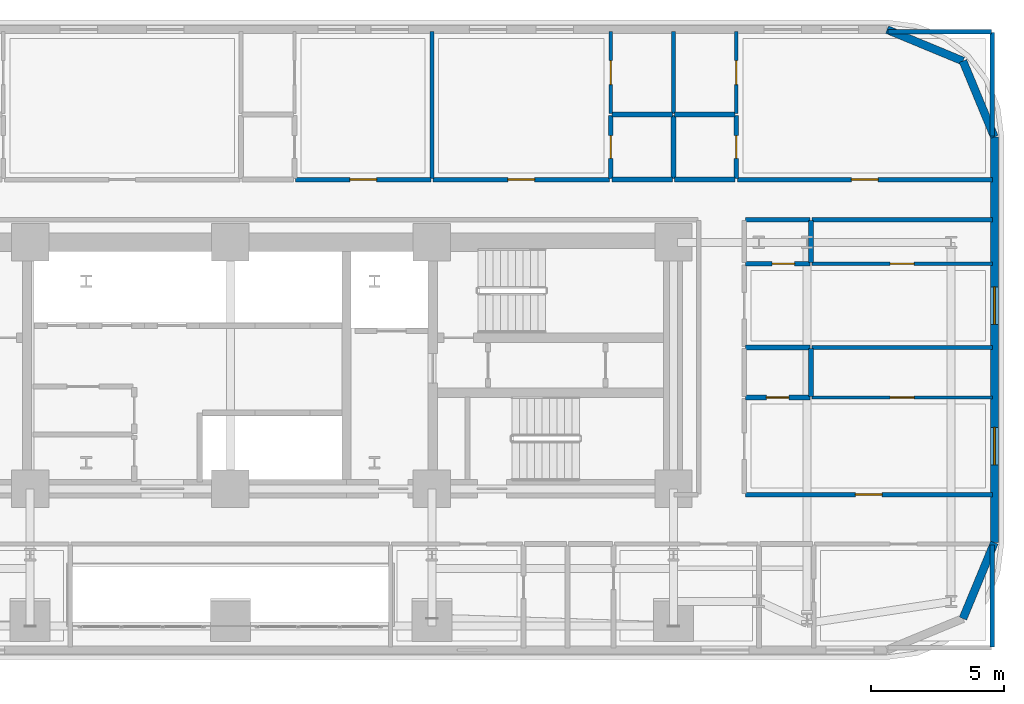
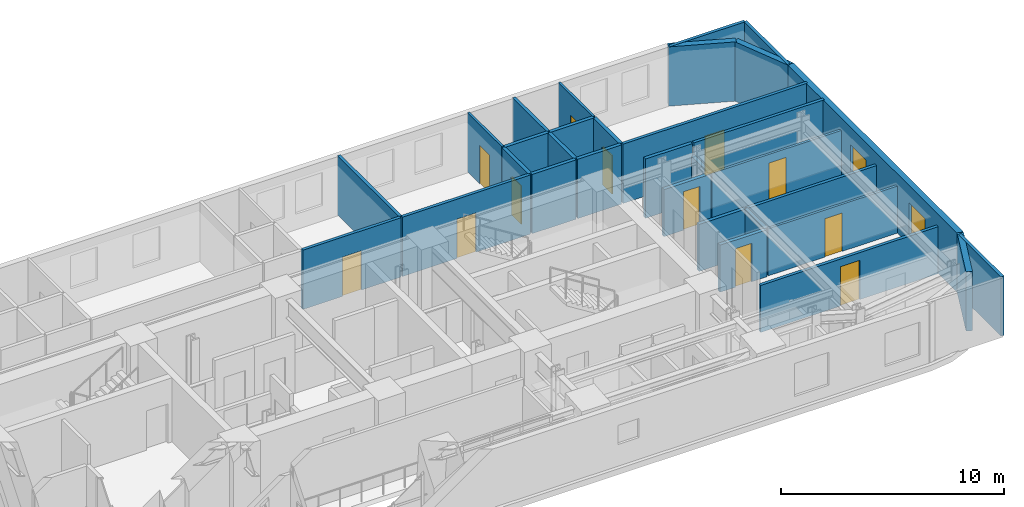
# One storey, part 11 of 15: 32 walls, 12 doors, 2 windows, 14 openings.
"""IFC4 building model written with IfcOpenShell, lengths in metres."""

from ifc_helpers import new_model, si_unit, direction, frame, frame_2d, origin, place, context, subcontext, project, spatial, rectangle, extrude, material, layer, layer_set, type_object, element, fill, save


model = new_model("IFC4")

# Units and contexts
model_context = context("Model", 3, precision=1e-05, world=origin(), true_north=direction((0.0, 1.0)))
body_context = subcontext(model_context, "Body", "Model", "MODEL_VIEW")
ifc_project = project(units=[si_unit("LENGTHUNIT", "METRE"), si_unit("AREAUNIT", "SQUARE_METRE"), si_unit("VOLUMEUNIT", "CUBIC_METRE"), si_unit("PLANEANGLEUNIT", "RADIAN"), si_unit("MASSUNIT", "GRAM", prefix="KILO")], contexts=[model_context])

# Site, building, storey
site_placement = place(None, origin())
site = spatial("IfcSite", under=ifc_project, at=site_placement, CompositionType="ELEMENT")
building_placement = place(site_placement, origin())
building = spatial("IfcBuilding", under=site, at=building_placement, Name="Zarnavel Station Tower", CompositionType="ELEMENT")
storey_placement = place(building_placement, frame((0.0, 0.0, 36.0)))
storey = spatial("IfcBuildingStorey", under=building, at=storey_placement, Name="L09", CompositionType="ELEMENT", Elevation=36.0)

# Wall
ifc_material_1 = material(Name="Precast concrete C45/55 (Dark Basalt Finish)", Category="masonry")
ifc_layer_1 = layer(ifc_material_1, 0.300048828125)
ifc_layer_set_1 = layer_set([ifc_layer_1], Name="EW_BASALT_300")
wall_type_1 = type_object("IfcWallType", Name="EW_BASALT_300", PredefinedType="SOLIDWALL", material=ifc_layer_set_1)
wall_1_placement = place(storey_placement, frame((57.419921875, 25.800048828125, 0.0), z_axis=(0.0, 0.0, 1.0), x_axis=(-0.382636798336, -0.92389884758, 0.0)))
element("IfcWall", 1, at=wall_1_placement, inside=storey, type_object=wall_type_1, Name="L09 Exterior Basalt Masonry Frame Wall 02", PredefinedType="SOLIDWALL", context=body_context, shape_type="SweptSolid", body=[
    extrude(rectangle(XDim=3.07666015625, YDim=0.300048828125, at=frame_2d((1.538330078125, 0.0))), origin(), (0.0, 0.0, 1.0), 3.239990234375),
])

# Wall, openings, windows
wall_2_placement = place(storey_placement, frame((57.419921875, 41.0, 0.0), z_axis=(0.0, 0.0, 1.0), x_axis=(0.0, -1.0, 0.0)))
wall_2 = element("IfcWall", 2, at=wall_2_placement, inside=storey, type_object=wall_type_1, Name="L09 Exterior Basalt Masonry Frame Wall 03", PredefinedType="SOLIDWALL", context=body_context, shape_type="SweptSolid", body=[
    extrude(rectangle(XDim=15.199951171875, YDim=0.300048828125, at=frame_2d((7.60009765625, 0.0))), origin(), (0.0, 0.0, 1.0), 3.239990234375),
])
opening_1_placement = place(wall_2_placement, frame((10.882080078125, 0.0, 0.47998046875)))
opening_1 = element("IfcOpeningElement", 3, at=opening_1_placement, cuts=wall_2, Name="Opening WN01", PredefinedType="OPENING", context=body_context, shape_type="SweptSolid", body=[
    extrude(rectangle(XDim=1.39990234375, YDim=1.800048828125, at=frame_2d((0.699951171875, 0.89990234375))), frame((0.0, 0.159912109375, 0.0), z_axis=(0.0, -1.0, 0.0), x_axis=(1.0, 0.0, 0.0)), (0.0, 0.0, 1.0), 0.320068359375),
])
opening_2_placement = place(wall_2_placement, frame((5.62060546875, 0.0, 0.47998046875)))
opening_2 = element("IfcOpeningElement", 4, at=opening_2_placement, cuts=wall_2, Name="Opening WN01", PredefinedType="OPENING", context=body_context, shape_type="SweptSolid", body=[
    extrude(rectangle(XDim=1.39990234375, YDim=1.800048828125, at=frame_2d((0.699951171875, 0.89990234375))), frame((0.0, 0.159912109375, 0.0), z_axis=(0.0, -1.0, 0.0), x_axis=(1.0, 0.0, 0.0)), (0.0, 0.0, 1.0), 0.320068359375),
])
ifc_material_2 = material(Name="Thermally Broken Black Aluminium and Low-E Dark Glass", Category="aluminium")
window_type = type_object("IfcWindowType", Name="WN_1400x1800", PartitioningType="DOUBLE_PANEL_VERTICAL", PredefinedType="WINDOW", material=ifc_material_2)
window_1_placement = place(opening_1_placement, origin())
window_1 = element("IfcWindow", 5, at=window_1_placement, inside=storey, type_object=window_type, Name="L09 Recessed Facade Window 01", OverallHeight=1.800048828125, OverallWidth=1.39990234375, PartitioningType="SINGLE_PANEL", PredefinedType="WINDOW", context=body_context, shape_type="SweptSolid", body=[
    extrude(rectangle(XDim=1.39990234375, YDim=1.800048828125, at=frame_2d((0.699951171875, 0.89990234375))), frame((0.0, 0.030029296875, 0.0), z_axis=(0.0, -1.0, 0.0), x_axis=(1.0, 0.0, 0.0)), (0.0, 0.0, 1.0), 0.06005859375),
])
fill(opening_1, window_1)
window_2_placement = place(opening_2_placement, origin())
window_2 = element("IfcWindow", 6, at=window_2_placement, inside=storey, type_object=window_type, Name="L09 Recessed Facade Window 02", OverallHeight=1.800048828125, OverallWidth=1.39990234375, PartitioningType="SINGLE_PANEL", PredefinedType="WINDOW", context=body_context, shape_type="SweptSolid", body=[
    extrude(rectangle(XDim=1.39990234375, YDim=1.800048828125, at=frame_2d((0.699951171875, 0.89990234375))), frame((0.0, 0.030029296875, 0.0), z_axis=(0.0, -1.0, 0.0), x_axis=(1.0, 0.0, 0.0)), (0.0, 0.0, 1.0), 0.06005859375),
])
fill(opening_2, window_2)

# Walls
wall_3_placement = place(storey_placement, frame((56.24267578125, 43.842529296875, 0.0), z_axis=(0.0, 0.0, 1.0), x_axis=(0.382636798336, -0.92389884758, 0.0)))
element("IfcWall", 7, at=wall_3_placement, inside=storey, type_object=wall_type_1, Name="L09 Exterior Basalt Masonry Frame Wall 04", PredefinedType="SOLIDWALL", context=body_context, shape_type="SweptSolid", body=[
    extrude(rectangle(XDim=3.07666015625, YDim=0.300048828125, at=frame_2d((1.538330078125, 0.0))), origin(), (0.0, 0.0, 1.0), 3.239990234375),
])
wall_4_placement = place(storey_placement, frame((53.39990234375, 45.02001953125, 0.0), z_axis=(0.0, 0.0, 1.0), x_axis=(0.923882414032, -0.382676475685, 0.0)))
element("IfcWall", 8, at=wall_4_placement, inside=storey, type_object=wall_type_1, Name="L09 Exterior Basalt Masonry Frame Wall 05", PredefinedType="SOLIDWALL", context=body_context, shape_type="SweptSolid", body=[
    extrude(rectangle(XDim=3.076904296875, YDim=0.300048828125, at=frame_2d((1.53857421875, 0.0))), origin(), (0.0, 0.0, 1.0), 3.239990234375),
])

# Wall, opening, door
ifc_material_3 = material(Name="Gypsum Twin-Stud Acoustic Fire Partition", Category="concrete")
ifc_layer_2 = layer(ifc_material_3, 0.159912109375)
ifc_layer_set_2 = layer_set([ifc_layer_2], Name="PT_DEMISE_160")
wall_type_2 = type_object("IfcWallType", Name="PT_DEMISE_160", PredefinedType="PARTITIONING", material=ifc_layer_set_2)
wall_5_placement = place(storey_placement, frame((48.090087890625, 27.60009765625, 0.0), z_axis=(0.0, 0.0, 1.0), x_axis=(1.0, 0.0, 0.0)))
wall_5 = element("IfcWall", 9, at=wall_5_placement, inside=storey, type_object=wall_type_2, Name="L09 Partition COR-S-FNE1R", PredefinedType="PARTITIONING", context=body_context, shape_type="SweptSolid", body=[
    extrude(rectangle(XDim=9.25, YDim=0.159912109375, at=frame_2d((4.625, 0.0))), origin(), (0.0, 0.0, 1.0), 2.570068359375),
])
opening_3_placement = place(wall_5_placement, frame((4.125, 0.0, 0.0)))
opening_3 = element("IfcOpeningElement", 10, at=opening_3_placement, cuts=wall_5, Name="Opening FD02", PredefinedType="OPENING", context=body_context, shape_type="SweptSolid", body=[
    extrude(rectangle(XDim=1.0, YDim=2.14990234375, at=frame_2d((0.5, 1.074951171875))), frame((0.0, 0.08984375, 0.0), z_axis=(0.0, -1.0, 0.0), x_axis=(1.0, 0.0, 0.0)), (0.0, 0.0, 1.0), 0.179931640625),
])
ifc_material_4 = material(Name="Painted Galvanised Steel and Hardwood Leaf", Category="steel")
door_type_1 = type_object("IfcDoorType", Name="ID_ENTRY_1000", OperationType="NOTDEFINED", PredefinedType="DOOR", material=ifc_material_4)
door_1_placement = place(opening_3_placement, origin())
door_1 = element("IfcDoor", 11, at=door_1_placement, inside=storey, type_object=door_type_1, Name="L09 Door COR-S-FNE1R", OperationType="SINGLE_SWING_LEFT", OverallHeight=2.14990234375, OverallWidth=1.0, PredefinedType="DOOR", context=body_context, shape_type="SweptSolid", body=[
    extrude(rectangle(XDim=1.0, YDim=2.14990234375, at=frame_2d((0.5, 1.074951171875))), frame((0.0, 0.02490234375, 0.0), z_axis=(0.0, -1.0, 0.0), x_axis=(1.0, 0.0, 0.0)), (0.0, 0.0, 1.0), 0.050048828125),
])
fill(opening_3, door_1)

# Wall
wall_6_placement = place(storey_placement, frame((50.590087890625, 37.89990234375, 0.0), z_axis=(0.0, 0.0, 1.0), x_axis=(1.0, 0.0, 0.0)))
element("IfcWall", 12, at=wall_6_placement, inside=storey, type_object=wall_type_2, Name="L09 Partition COR-N-FNE2S", PredefinedType="PARTITIONING", context=body_context, shape_type="SweptSolid", body=[
    extrude(rectangle(XDim=6.75, YDim=0.159912109375, at=frame_2d((3.375, 0.0))), origin(), (0.0, 0.0, 1.0), 3.239990234375),
])

# Wall, opening, door
wall_7_placement = place(storey_placement, frame((31.240966796875, 39.39990234375, 0.0), z_axis=(0.0, 0.0, 1.0), x_axis=(1.0, 0.0, 0.0)))
wall_7 = element("IfcWall", 13, at=wall_7_placement, inside=storey, type_object=wall_type_2, Name="L09 Partition COR-N-HN3R", PredefinedType="PARTITIONING", context=body_context, shape_type="SweptSolid", body=[
    extrude(rectangle(XDim=5.069091796875, YDim=0.159912109375, at=frame_2d((2.53466796875, 0.0))), origin(), (0.0, 0.0, 1.0), 3.239990234375),
])
opening_4_placement = place(wall_7_placement, frame((2.034423828125, 0.0, 0.0)))
opening_4 = element("IfcOpeningElement", 14, at=opening_4_placement, cuts=wall_7, Name="Opening FD02", PredefinedType="OPENING", context=body_context, shape_type="SweptSolid", body=[
    extrude(rectangle(XDim=1.0, YDim=2.14990234375, at=frame_2d((0.5, 1.074951171875))), frame((0.0, 0.08984375, 0.0), z_axis=(0.0, -1.0, 0.0), x_axis=(1.0, 0.0, 0.0)), (0.0, 0.0, 1.0), 0.179931640625),
])
door_2_placement = place(opening_4_placement, origin())
door_2 = element("IfcDoor", 15, at=door_2_placement, inside=storey, type_object=door_type_1, Name="L09 Door COR-N-HN3R", OperationType="SINGLE_SWING_LEFT", OverallHeight=2.14990234375, OverallWidth=1.0, PredefinedType="DOOR", context=body_context, shape_type="SweptSolid", body=[
    extrude(rectangle(XDim=1.0, YDim=2.14990234375, at=frame_2d((0.5, 1.074951171875))), frame((0.0, 0.02490234375, 0.0), z_axis=(0.0, -1.0, 0.0), x_axis=(1.0, 0.0, 0.0)), (0.0, 0.0, 1.0), 0.050048828125),
])
fill(opening_4, door_2)

wall_8_placement = place(storey_placement, frame((36.389892578125, 39.39990234375, 0.0), z_axis=(0.0, 0.0, 1.0), x_axis=(1.0, 0.0, 0.0)))
wall_8 = element("IfcWall", 16, at=wall_8_placement, inside=storey, type_object=wall_type_2, Name="L09 Partition COR-N-HN4R", PredefinedType="PARTITIONING", context=body_context, shape_type="SweptSolid", body=[
    extrude(rectangle(XDim=6.6201171875, YDim=0.159912109375, at=frame_2d((3.31005859375, 0.0))), origin(), (0.0, 0.0, 1.0), 3.239990234375),
])
opening_5_placement = place(wall_8_placement, frame((2.81005859375, 0.0, 0.0)))
opening_5 = element("IfcOpeningElement", 17, at=opening_5_placement, cuts=wall_8, Name="Opening FD02", PredefinedType="OPENING", context=body_context, shape_type="SweptSolid", body=[
    extrude(rectangle(XDim=1.0, YDim=2.14990234375, at=frame_2d((0.5, 1.074951171875))), frame((0.0, 0.08984375, 0.0), z_axis=(0.0, -1.0, 0.0), x_axis=(1.0, 0.0, 0.0)), (0.0, 0.0, 1.0), 0.179931640625),
])
door_3_placement = place(opening_5_placement, origin())
door_3 = element("IfcDoor", 18, at=door_3_placement, inside=storey, type_object=door_type_1, Name="L09 Door COR-N-HN4R", OperationType="SINGLE_SWING_RIGHT", OverallHeight=2.14990234375, OverallWidth=1.0, PredefinedType="DOOR", context=body_context, shape_type="SweptSolid", body=[
    extrude(rectangle(XDim=1.0, YDim=2.14990234375, at=frame_2d((0.5, 1.074951171875))), frame((0.0, 0.02490234375, 0.0), z_axis=(0.0, -1.0, 0.0), x_axis=(1.0, 0.0, 0.0)), (0.0, 0.0, 1.0), 0.050048828125),
])
fill(opening_5, door_3)

wall_9_placement = place(storey_placement, frame((47.7900390625, 39.39990234375, 0.0), z_axis=(0.0, 0.0, 1.0), x_axis=(1.0, 0.0, 0.0)))
wall_9 = element("IfcWall", 19, at=wall_9_placement, inside=storey, type_object=wall_type_2, Name="L09 Partition COR-N-HN5R", PredefinedType="PARTITIONING", context=body_context, shape_type="SweptSolid", body=[
    extrude(rectangle(XDim=9.550048828125, YDim=0.159912109375, at=frame_2d((4.77490234375, 0.0))), origin(), (0.0, 0.0, 1.0), 3.239990234375),
])
opening_6_placement = place(wall_9_placement, frame((4.27490234375, 0.0, 0.0)))
opening_6 = element("IfcOpeningElement", 20, at=opening_6_placement, cuts=wall_9, Name="Opening FD02", PredefinedType="OPENING", context=body_context, shape_type="SweptSolid", body=[
    extrude(rectangle(XDim=1.0, YDim=2.14990234375, at=frame_2d((0.5, 1.074951171875))), frame((0.0, 0.08984375, 0.0), z_axis=(0.0, -1.0, 0.0), x_axis=(1.0, 0.0, 0.0)), (0.0, 0.0, 1.0), 0.179931640625),
])
door_4_placement = place(opening_6_placement, origin())
door_4 = element("IfcDoor", 21, at=door_4_placement, inside=storey, type_object=door_type_1, Name="L09 Door COR-N-HN5R", OperationType="SINGLE_SWING_LEFT", OverallHeight=2.14990234375, OverallWidth=1.0, PredefinedType="DOOR", context=body_context, shape_type="SweptSolid", body=[
    extrude(rectangle(XDim=1.0, YDim=2.14990234375, at=frame_2d((0.5, 1.074951171875))), frame((0.0, 0.02490234375, 0.0), z_axis=(0.0, -1.0, 0.0), x_axis=(1.0, 0.0, 0.0)), (0.0, 0.0, 1.0), 0.050048828125),
])
fill(opening_6, door_4)

# Walls
wall_10_placement = place(storey_placement, frame((50.590087890625, 33.10888671875, 0.0), z_axis=(0.0, 0.0, 1.0), x_axis=(1.0, 0.0, 0.0)))
element("IfcWall", 22, at=wall_10_placement, inside=storey, type_object=wall_type_2, Name="L09 Partition FNE1S-FNE2R", PredefinedType="PARTITIONING", context=body_context, shape_type="SweptSolid", body=[
    extrude(rectangle(XDim=6.75, YDim=0.159912109375, at=frame_2d((3.375, 0.0))), origin(), (0.0, 0.0, 1.0), 2.570068359375),
])
wall_11_placement = place(storey_placement, frame((36.35009765625, 39.43994140625, 0.0), z_axis=(0.0, 0.0, 1.0), x_axis=(0.0, 1.0, 0.0)))
element("IfcWall", 23, at=wall_11_placement, inside=storey, type_object=wall_type_2, Name="L09 Partition HN3R-HN4R", PredefinedType="PARTITIONING", context=body_context, shape_type="SweptSolid", body=[
    extrude(rectangle(XDim=5.5, YDim=0.159912109375, at=frame_2d((2.75, 0.0))), origin(), (0.0, 0.0, 1.0), 3.239990234375),
])
wall_12_placement = place(storey_placement, frame((45.39990234375, 41.8779296875, 0.0), z_axis=(0.0, 0.0, 1.0), x_axis=(0.0, 1.0, 0.0)))
element("IfcWall", 24, at=wall_12_placement, inside=storey, type_object=wall_type_2, Name="L09 Partition HN4S-HN5S", PredefinedType="PARTITIONING", context=body_context, shape_type="SweptSolid", body=[
    extrude(rectangle(XDim=3.06201171875, YDim=0.159912109375, at=frame_2d((1.531005859375, 0.0))), origin(), (0.0, 0.0, 1.0), 3.239990234375),
])
wall_13_placement = place(storey_placement, frame((53.429931640625, 44.93994140625, 0.0), z_axis=(0.0, 0.0, 1.0), x_axis=(1.0, 0.0, 0.0)))
element("IfcWall", 25, at=wall_13_placement, inside=storey, type_object=wall_type_2, Name="L09 Enclosure Wall HN5R", PredefinedType="PARTITIONING", context=body_context, shape_type="SweptSolid", body=[
    extrude(rectangle(XDim=3.880126953125, YDim=0.159912109375, at=frame_2d((1.93994140625, 0.0))), origin(), (0.0, 0.0, 1.0), 3.239990234375),
])
wall_14_placement = place(storey_placement, frame((57.340087890625, 41.030029296875, 0.0), z_axis=(0.0, 0.0, 1.0), x_axis=(0.0, 1.0, 0.0)))
element("IfcWall", 26, at=wall_14_placement, inside=storey, type_object=wall_type_2, Name="L09 Enclosure Wall HN5R", PredefinedType="PARTITIONING", context=body_context, shape_type="SweptSolid", body=[
    extrude(rectangle(XDim=3.8798828125, YDim=0.159912109375, at=frame_2d((1.93994140625, 0.0))), origin(), (0.0, 0.0, 1.0), 3.239990234375),
])
wall_15_placement = place(storey_placement, frame((57.340087890625, 21.889892578125, 0.0), z_axis=(0.0, 0.0, 1.0), x_axis=(0.0, 1.0, 0.0)))
element("IfcWall", 27, at=wall_15_placement, inside=storey, type_object=wall_type_2, Name="L09 Enclosure Wall HE3R", PredefinedType="PARTITIONING", context=body_context, shape_type="SweptSolid", body=[
    extrude(rectangle(XDim=3.830078125, YDim=0.159912109375, at=frame_2d((1.9150390625, 0.0))), origin(), (0.0, 0.0, 1.0), 3.239990234375),
])

# Wall, opening, door
ifc_material_5 = material(Name="Gypsum Metal-Stud Interior Partition", Category="concrete")
ifc_layer_3 = layer(ifc_material_5, 0.1201171875)
ifc_layer_set_3 = layer_set([ifc_layer_3], Name="PT_ROOM_120")
wall_type_3 = type_object("IfcWallType", Name="PT_ROOM_120", PredefinedType="PARTITIONING", material=ifc_layer_set_3)
wall_16_placement = place(storey_placement, frame((50.590087890625, 31.236083984375, 0.0), z_axis=(0.0, 0.0, 1.0), x_axis=(1.0, 0.0, 0.0)))
wall_16 = element("IfcWall", 28, at=wall_16_placement, inside=storey, type_object=wall_type_3, Name="L09 Partition FNE1R-FNE1S", PredefinedType="PARTITIONING", context=body_context, shape_type="SweptSolid", body=[
    extrude(rectangle(XDim=6.75, YDim=0.1201171875, at=frame_2d((3.375, 0.0))), origin(), (0.0, 0.0, 1.0), 2.570068359375),
])
opening_7_placement = place(wall_16_placement, frame((2.925048828125, 0.0, 0.0)))
opening_7 = element("IfcOpeningElement", 29, at=opening_7_placement, cuts=wall_16, Name="Opening ID01", PredefinedType="OPENING", context=body_context, shape_type="SweptSolid", body=[
    extrude(rectangle(XDim=0.89990234375, YDim=2.10009765625, at=frame_2d((0.449951171875, 1.050048828125))), frame((0.0, 0.070068359375, 0.0), z_axis=(0.0, -1.0, 0.0), x_axis=(1.0, 0.0, 0.0)), (0.0, 0.0, 1.0), 0.14013671875),
])
ifc_material_6 = material(Name="Painted Galvanised Steel and Hardwood Leaf", Category="steel")
door_type_2 = type_object("IfcDoorType", Name="ID_ROOM_900", OperationType="NOTDEFINED", PredefinedType="DOOR", material=ifc_material_6)
door_5_placement = place(opening_7_placement, origin())
door_5 = element("IfcDoor", 30, at=door_5_placement, inside=storey, type_object=door_type_2, Name="L09 Door FNE1R-FNE1S", OperationType="SINGLE_SWING_LEFT", OverallHeight=2.10009765625, OverallWidth=0.89990234375, PredefinedType="DOOR", context=body_context, shape_type="SweptSolid", body=[
    extrude(rectangle(XDim=0.89990234375, YDim=2.10009765625, at=frame_2d((0.449951171875, 1.050048828125))), frame((0.0, 0.02490234375, 0.0), z_axis=(0.0, -1.0, 0.0), x_axis=(1.0, 0.0, 0.0)), (0.0, 0.0, 1.0), 0.050048828125),
])
fill(opening_7, door_5)

wall_17_placement = place(storey_placement, frame((50.590087890625, 36.25, 0.0), z_axis=(0.0, 0.0, 1.0), x_axis=(1.0, 0.0, 0.0)))
wall_17 = element("IfcWall", 31, at=wall_17_placement, inside=storey, type_object=wall_type_3, Name="L09 Partition FNE2R-FNE2S", PredefinedType="PARTITIONING", context=body_context, shape_type="SweptSolid", body=[
    extrude(rectangle(XDim=6.75, YDim=0.1201171875, at=frame_2d((3.375, 0.0))), origin(), (0.0, 0.0, 1.0), 2.570068359375),
])
opening_8_placement = place(wall_17_placement, frame((2.925048828125, 0.0, 0.0)))
opening_8 = element("IfcOpeningElement", 32, at=opening_8_placement, cuts=wall_17, Name="Opening ID01", PredefinedType="OPENING", context=body_context, shape_type="SweptSolid", body=[
    extrude(rectangle(XDim=0.89990234375, YDim=2.10009765625, at=frame_2d((0.449951171875, 1.050048828125))), frame((0.0, 0.070068359375, 0.0), z_axis=(0.0, -1.0, 0.0), x_axis=(1.0, 0.0, 0.0)), (0.0, 0.0, 1.0), 0.14013671875),
])
door_6_placement = place(opening_8_placement, origin())
door_6 = element("IfcDoor", 33, at=door_6_placement, inside=storey, type_object=door_type_2, Name="L09 Door FNE2R-FNE2S", OperationType="SINGLE_SWING_LEFT", OverallHeight=2.10009765625, OverallWidth=0.89990234375, PredefinedType="DOOR", context=body_context, shape_type="SweptSolid", body=[
    extrude(rectangle(XDim=0.89990234375, YDim=2.10009765625, at=frame_2d((0.449951171875, 1.050048828125))), frame((0.0, 0.02490234375, 0.0), z_axis=(0.0, -1.0, 0.0), x_axis=(1.0, 0.0, 0.0)), (0.0, 0.0, 1.0), 0.050048828125),
])
fill(opening_8, door_6)

wall_18_placement = place(storey_placement, frame((43.050048828125, 41.8779296875, 0.0), z_axis=(0.0, 0.0, 1.0), x_axis=(0.0, 1.0, 0.0)))
wall_18 = element("IfcWall", 34, at=wall_18_placement, inside=storey, type_object=wall_type_3, Name="L09 Partition HN4R-HN4S", PredefinedType="PARTITIONING", context=body_context, shape_type="SweptSolid", body=[
    extrude(rectangle(XDim=3.06201171875, YDim=0.1201171875, at=frame_2d((1.531005859375, 0.0))), origin(), (0.0, 0.0, 1.0), 3.239990234375),
])
opening_9_placement = place(wall_18_placement, frame((1.0810546875, 0.0, 0.0)))
opening_9 = element("IfcOpeningElement", 35, at=opening_9_placement, cuts=wall_18, Name="Opening ID01", PredefinedType="OPENING", context=body_context, shape_type="SweptSolid", body=[
    extrude(rectangle(XDim=0.89990234375, YDim=2.10009765625, at=frame_2d((0.449951171875, 1.050048828125))), frame((0.0, 0.070068359375, 0.0), z_axis=(0.0, -1.0, 0.0), x_axis=(1.0, 0.0, 0.0)), (0.0, 0.0, 1.0), 0.14013671875),
])
door_7_placement = place(opening_9_placement, origin())
door_7 = element("IfcDoor", 36, at=door_7_placement, inside=storey, type_object=door_type_2, Name="L09 Door HN4R-HN4S", OperationType="SINGLE_SWING_LEFT", OverallHeight=2.10009765625, OverallWidth=0.89990234375, PredefinedType="DOOR", context=body_context, shape_type="SweptSolid", body=[
    extrude(rectangle(XDim=0.89990234375, YDim=2.10009765625, at=frame_2d((0.449951171875, 1.050048828125))), frame((0.0, 0.02490234375, 0.0), z_axis=(0.0, -1.0, 0.0), x_axis=(1.0, 0.0, 0.0)), (0.0, 0.0, 1.0), 0.050048828125),
])
fill(opening_9, door_7)

wall_19_placement = place(storey_placement, frame((47.75, 41.8779296875, 0.0), z_axis=(0.0, 0.0, 1.0), x_axis=(0.0, 1.0, 0.0)))
wall_19 = element("IfcWall", 37, at=wall_19_placement, inside=storey, type_object=wall_type_3, Name="L09 Partition HN5R-HN5S", PredefinedType="PARTITIONING", context=body_context, shape_type="SweptSolid", body=[
    extrude(rectangle(XDim=3.06201171875, YDim=0.1201171875, at=frame_2d((1.531005859375, 0.0))), origin(), (0.0, 0.0, 1.0), 3.239990234375),
])
opening_10_placement = place(wall_19_placement, frame((1.0810546875, 0.0, 0.0)))
opening_10 = element("IfcOpeningElement", 38, at=opening_10_placement, cuts=wall_19, Name="Opening ID01", PredefinedType="OPENING", context=body_context, shape_type="SweptSolid", body=[
    extrude(rectangle(XDim=0.89990234375, YDim=2.10009765625, at=frame_2d((0.449951171875, 1.050048828125))), frame((0.0, 0.070068359375, 0.0), z_axis=(0.0, -1.0, 0.0), x_axis=(1.0, 0.0, 0.0)), (0.0, 0.0, 1.0), 0.14013671875),
])
door_8_placement = place(opening_10_placement, origin())
door_8 = element("IfcDoor", 39, at=door_8_placement, inside=storey, type_object=door_type_2, Name="L09 Door HN5R-HN5S", OperationType="SINGLE_SWING_LEFT", OverallHeight=2.10009765625, OverallWidth=0.89990234375, PredefinedType="DOOR", context=body_context, shape_type="SweptSolid", body=[
    extrude(rectangle(XDim=0.89990234375, YDim=2.10009765625, at=frame_2d((0.449951171875, 1.050048828125))), frame((0.0, 0.02490234375, 0.0), z_axis=(0.0, -1.0, 0.0), x_axis=(1.0, 0.0, 0.0)), (0.0, 0.0, 1.0), 0.050048828125),
])
fill(opening_10, door_8)

# Walls
ifc_material_7 = material(Name="Moisture-Resistant Plumbing Chase Wall", Category="concrete")
ifc_layer_4 = layer(ifc_material_7, 0.179931640625)
ifc_layer_set_4 = layer_set([ifc_layer_4], Name="PW_PLUMB_180")
wall_type_4 = type_object("IfcWallType", Name="PW_PLUMB_180", PredefinedType="PLUMBINGWALL", material=ifc_layer_set_4)
wall_20_placement = place(storey_placement, frame((48.090087890625, 37.89990234375, 0.0), z_axis=(0.0, 0.0, 1.0), x_axis=(1.0, 0.0, 0.0)))
element("IfcWall", 40, at=wall_20_placement, inside=storey, type_object=wall_type_4, Name="L09 Partition COR-N-FNE2B", PredefinedType="PLUMBINGWALL", context=body_context, shape_type="SweptSolid", body=[
    extrude(rectangle(XDim=2.419921875, YDim=0.179931640625, at=frame_2d((1.2099609375, 0.0))), origin(), (0.0, 0.0, 1.0), 3.239990234375),
])
for number, where, z_axis, x_axis, name in (
    (41, (43.090087890625, 39.39990234375, 0.0), (0.0, 0.0, 1.0), (1.0, 0.0, 0.0), "L09 Partition COR-N-HN4B"),
    (42, (45.43994140625, 39.39990234375, 0.0), (0.0, 0.0, 1.0), (1.0, 0.0, 0.0), "L09 Partition COR-N-HN5B"),
):
    element("IfcWall", number, at=place(storey_placement, frame(where, z_axis=z_axis, x_axis=x_axis)), inside=storey, type_object=wall_type_4, Name=name, PredefinedType="PLUMBINGWALL", context=body_context, shape_type="SweptSolid", body=[
        extrude(rectangle(XDim=2.27001953125, YDim=0.179931640625, at=frame_2d((1.135009765625, 0.0))), origin(), (0.0, 0.0, 1.0), 3.239990234375),
    ])

# Wall, opening, door
wall_21_placement = place(storey_placement, frame((48.090087890625, 31.236083984375, 0.0), z_axis=(0.0, 0.0, 1.0), x_axis=(1.0, 0.0, 0.0)))
wall_21 = element("IfcWall", 43, at=wall_21_placement, inside=storey, type_object=wall_type_4, Name="L09 Partition FNE1R-FNE1B", PredefinedType="PLUMBINGWALL", context=body_context, shape_type="SweptSolid", body=[
    extrude(rectangle(XDim=2.419921875, YDim=0.179931640625, at=frame_2d((1.2099609375, 0.0))), origin(), (0.0, 0.0, 1.0), 2.570068359375),
])
opening_11_placement = place(wall_21_placement, frame((0.784912109375, 0.0, 0.0)))
opening_11 = element("IfcOpeningElement", 44, at=opening_11_placement, cuts=wall_21, Name="Opening ID02", PredefinedType="OPENING", context=body_context, shape_type="SweptSolid", body=[
    extrude(rectangle(XDim=0.85009765625, YDim=2.10009765625, at=frame_2d((0.425048828125, 1.050048828125))), frame((0.0, 0.099853515625, 0.0), z_axis=(0.0, -1.0, 0.0), x_axis=(1.0, 0.0, 0.0)), (0.0, 0.0, 1.0), 0.199951171875),
])
ifc_material_8 = material(Name="Painted Galvanised Steel and Hardwood Leaf", Category="steel")
door_type_3 = type_object("IfcDoorType", Name="ID_BATH_850", OperationType="NOTDEFINED", PredefinedType="DOOR", material=ifc_material_8)
door_9_placement = place(opening_11_placement, origin())
door_9 = element("IfcDoor", 45, at=door_9_placement, inside=storey, type_object=door_type_3, Name="L09 Door FNE1R-FNE1B", OperationType="SINGLE_SWING_RIGHT", OverallHeight=2.10009765625, OverallWidth=0.85009765625, PredefinedType="DOOR", context=body_context, shape_type="SweptSolid", body=[
    extrude(rectangle(XDim=0.85009765625, YDim=2.10009765625, at=frame_2d((0.425048828125, 1.050048828125))), frame((0.0, 0.02490234375, 0.0), z_axis=(0.0, -1.0, 0.0), x_axis=(1.0, 0.0, 0.0)), (0.0, 0.0, 1.0), 0.050048828125),
])
fill(opening_11, door_9)

# Walls
wall_22_placement = place(storey_placement, frame((50.550048828125, 31.27587890625, 0.0), z_axis=(0.0, 0.0, 1.0), x_axis=(0.0, 1.0, 0.0)))
element("IfcWall", 46, at=wall_22_placement, inside=storey, type_object=wall_type_4, Name="L09 Partition FNE1B-FNE1S", PredefinedType="PLUMBINGWALL", context=body_context, shape_type="SweptSolid", body=[
    extrude(rectangle(XDim=1.793212890625, YDim=0.179931640625, at=frame_2d((0.896484375, 0.0))), origin(), (0.0, 0.0, 1.0), 2.570068359375),
])
wall_23_placement = place(storey_placement, frame((48.090087890625, 33.10888671875, 0.0), z_axis=(0.0, 0.0, 1.0), x_axis=(1.0, 0.0, 0.0)))
element("IfcWall", 47, at=wall_23_placement, inside=storey, type_object=wall_type_4, Name="L09 Partition FNE1B-FNE2R", PredefinedType="PLUMBINGWALL", context=body_context, shape_type="SweptSolid", body=[
    extrude(rectangle(XDim=2.419921875, YDim=0.179931640625, at=frame_2d((1.2099609375, 0.0))), origin(), (0.0, 0.0, 1.0), 2.570068359375),
])

# Wall, opening, door
wall_24_placement = place(storey_placement, frame((50.510009765625, 36.25, 0.0), z_axis=(0.0, 0.0, 1.0), x_axis=(-1.0, 0.0, 0.0)))
wall_24 = element("IfcWall", 48, at=wall_24_placement, inside=storey, type_object=wall_type_4, Name="L09 Partition FNE2R-FNE2B", PredefinedType="PLUMBINGWALL", context=body_context, shape_type="SweptSolid", body=[
    extrude(rectangle(XDim=2.419921875, YDim=0.179931640625, at=frame_2d((1.2099609375, 0.0))), origin(), (0.0, 0.0, 1.0), 2.570068359375),
])
opening_12_placement = place(wall_24_placement, frame((0.570068359375, 0.0, 0.0)))
opening_12 = element("IfcOpeningElement", 49, at=opening_12_placement, cuts=wall_24, Name="Opening ID02", PredefinedType="OPENING", context=body_context, shape_type="SweptSolid", body=[
    extrude(rectangle(XDim=0.85009765625, YDim=2.10009765625, at=frame_2d((0.425048828125, 1.050048828125))), frame((0.0, 0.099853515625, 0.0), z_axis=(0.0, -1.0, 0.0), x_axis=(1.0, 0.0, 0.0)), (0.0, 0.0, 1.0), 0.199951171875),
])
door_10_placement = place(opening_12_placement, origin())
door_10 = element("IfcDoor", 50, at=door_10_placement, inside=storey, type_object=door_type_3, Name="L09 Door FNE2R-FNE2B", OperationType="SINGLE_SWING_RIGHT", OverallHeight=2.10009765625, OverallWidth=0.85009765625, PredefinedType="DOOR", context=body_context, shape_type="SweptSolid", body=[
    extrude(rectangle(XDim=0.85009765625, YDim=2.10009765625, at=frame_2d((0.425048828125, 1.050048828125))), frame((0.0, 0.02490234375, 0.0), z_axis=(0.0, -1.0, 0.0), x_axis=(1.0, 0.0, 0.0)), (0.0, 0.0, 1.0), 0.050048828125),
])
fill(opening_12, door_10)

# Wall
wall_25_placement = place(storey_placement, frame((50.550048828125, 36.2900390625, 0.0), z_axis=(0.0, 0.0, 1.0), x_axis=(0.0, 1.0, 0.0)))
element("IfcWall", 51, at=wall_25_placement, inside=storey, type_object=wall_type_4, Name="L09 Partition FNE2B-FNE2S", PredefinedType="PLUMBINGWALL", context=body_context, shape_type="SweptSolid", body=[
    extrude(rectangle(XDim=1.570068359375, YDim=0.179931640625, at=frame_2d((0.78515625, 0.0))), origin(), (0.0, 0.0, 1.0), 2.570068359375),
])

# Wall, opening, door
wall_26_placement = place(storey_placement, frame((43.050048828125, 39.43994140625, 0.0), z_axis=(0.0, 0.0, 1.0), x_axis=(0.0, 1.0, 0.0)))
wall_26 = element("IfcWall", 52, at=wall_26_placement, inside=storey, type_object=wall_type_4, Name="L09 Partition HN4R-HN4B", PredefinedType="PLUMBINGWALL", context=body_context, shape_type="SweptSolid", body=[
    extrude(rectangle(XDim=2.358154296875, YDim=0.179931640625, at=frame_2d((1.17919921875, 0.0))), origin(), (0.0, 0.0, 1.0), 3.239990234375),
])
opening_13_placement = place(wall_26_placement, frame((0.75390625, 0.0, 0.0)))
opening_13 = element("IfcOpeningElement", 53, at=opening_13_placement, cuts=wall_26, Name="Opening ID02", PredefinedType="OPENING", context=body_context, shape_type="SweptSolid", body=[
    extrude(rectangle(XDim=0.85009765625, YDim=2.10009765625, at=frame_2d((0.425048828125, 1.050048828125))), frame((0.0, 0.099853515625, 0.0), z_axis=(0.0, -1.0, 0.0), x_axis=(1.0, 0.0, 0.0)), (0.0, 0.0, 1.0), 0.199951171875),
])
door_11_placement = place(opening_13_placement, origin())
door_11 = element("IfcDoor", 54, at=door_11_placement, inside=storey, type_object=door_type_3, Name="L09 Door HN4R-HN4B", OperationType="SINGLE_SWING_RIGHT", OverallHeight=2.10009765625, OverallWidth=0.85009765625, PredefinedType="DOOR", context=body_context, shape_type="SweptSolid", body=[
    extrude(rectangle(XDim=0.85009765625, YDim=2.10009765625, at=frame_2d((0.425048828125, 1.050048828125))), frame((0.0, 0.02490234375, 0.0), z_axis=(0.0, -1.0, 0.0), x_axis=(1.0, 0.0, 0.0)), (0.0, 0.0, 1.0), 0.050048828125),
])
fill(opening_13, door_11)

# Walls
wall_27_placement = place(storey_placement, frame((43.090087890625, 41.837890625, 0.0), z_axis=(0.0, 0.0, 1.0), x_axis=(1.0, 0.0, 0.0)))
element("IfcWall", 55, at=wall_27_placement, inside=storey, type_object=wall_type_4, Name="L09 Partition HN4B-HN4S", PredefinedType="PLUMBINGWALL", context=body_context, shape_type="SweptSolid", body=[
    extrude(rectangle(XDim=2.27001953125, YDim=0.179931640625, at=frame_2d((1.135009765625, 0.0))), origin(), (0.0, 0.0, 1.0), 3.239990234375),
])
wall_28_placement = place(storey_placement, frame((45.39990234375, 39.43994140625, 0.0), z_axis=(0.0, 0.0, 1.0), x_axis=(0.0, 1.0, 0.0)))
element("IfcWall", 56, at=wall_28_placement, inside=storey, type_object=wall_type_4, Name="L09 Partition HN4B-HN5B", PredefinedType="PLUMBINGWALL", context=body_context, shape_type="SweptSolid", body=[
    extrude(rectangle(XDim=2.358154296875, YDim=0.179931640625, at=frame_2d((1.17919921875, 0.0))), origin(), (0.0, 0.0, 1.0), 3.239990234375),
])

# Wall, opening, door
wall_29_placement = place(storey_placement, frame((47.75, 39.43994140625, 0.0), z_axis=(0.0, 0.0, 1.0), x_axis=(0.0, 1.0, 0.0)))
wall_29 = element("IfcWall", 57, at=wall_29_placement, inside=storey, type_object=wall_type_4, Name="L09 Partition HN5R-HN5B", PredefinedType="PLUMBINGWALL", context=body_context, shape_type="SweptSolid", body=[
    extrude(rectangle(XDim=2.358154296875, YDim=0.179931640625, at=frame_2d((1.17919921875, 0.0))), origin(), (0.0, 0.0, 1.0), 3.239990234375),
])
opening_14_placement = place(wall_29_placement, frame((0.75390625, 0.0, 0.0)))
opening_14 = element("IfcOpeningElement", 58, at=opening_14_placement, cuts=wall_29, Name="Opening ID02", PredefinedType="OPENING", context=body_context, shape_type="SweptSolid", body=[
    extrude(rectangle(XDim=0.85009765625, YDim=2.10009765625, at=frame_2d((0.425048828125, 1.050048828125))), frame((0.0, 0.099853515625, 0.0), z_axis=(0.0, -1.0, 0.0), x_axis=(1.0, 0.0, 0.0)), (0.0, 0.0, 1.0), 0.199951171875),
])
door_12_placement = place(opening_14_placement, origin())
door_12 = element("IfcDoor", 59, at=door_12_placement, inside=storey, type_object=door_type_3, Name="L09 Door HN5R-HN5B", OperationType="SINGLE_SWING_RIGHT", OverallHeight=2.10009765625, OverallWidth=0.85009765625, PredefinedType="DOOR", context=body_context, shape_type="SweptSolid", body=[
    extrude(rectangle(XDim=0.85009765625, YDim=2.10009765625, at=frame_2d((0.425048828125, 1.050048828125))), frame((0.0, 0.02490234375, 0.0), z_axis=(0.0, -1.0, 0.0), x_axis=(1.0, 0.0, 0.0)), (0.0, 0.0, 1.0), 0.050048828125),
])
fill(opening_14, door_12)

# Wall
wall_30_placement = place(storey_placement, frame((45.43994140625, 41.837890625, 0.0), z_axis=(0.0, 0.0, 1.0), x_axis=(1.0, 0.0, 0.0)))
element("IfcWall", 60, at=wall_30_placement, inside=storey, type_object=wall_type_4, Name="L09 Partition HN5B-HN5S", PredefinedType="PLUMBINGWALL", context=body_context, shape_type="SweptSolid", body=[
    extrude(rectangle(XDim=2.27001953125, YDim=0.179931640625, at=frame_2d((1.135009765625, 0.0))), origin(), (0.0, 0.0, 1.0), 3.239990234375),
])

save(model, "model.ifc")
